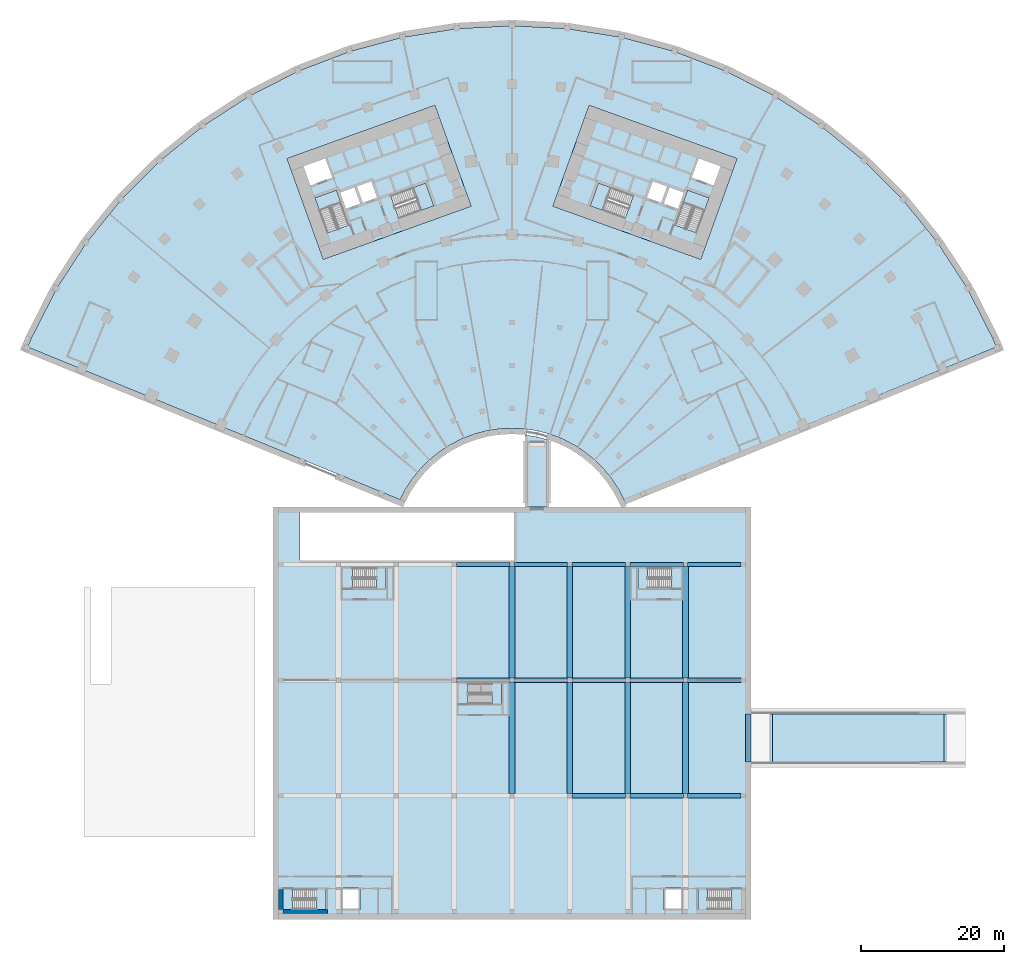
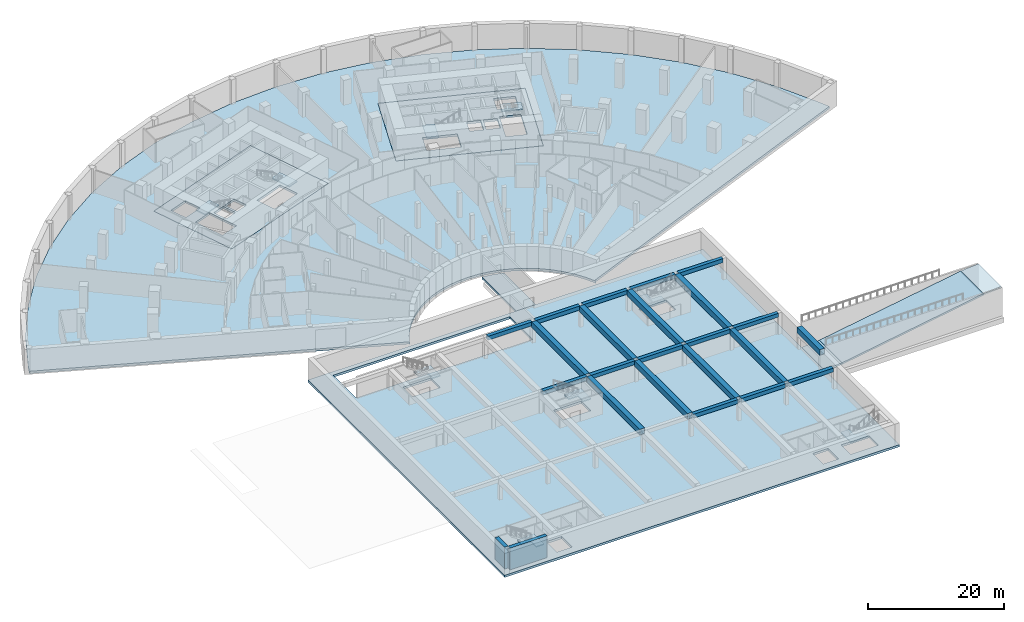
# One storey, part 2 of 23: 22 beams, 17 slabs, 2 walls, 9 elements without a shape of their own.
"""IFC4 building model written with IfcOpenShell, lengths in metres."""

from ifc_helpers import new_model, si_unit, direction, frame, frame_2d, origin, origin_2d, place, context, subcontext, project, spatial, polyline, rectangle, outline, extrude, material, layer, layer_set, material_profile, profile_set, type_object, element, aggregate, save


model = new_model("IFC4")

# Units and contexts
model_context = context("Model", 3, precision=1e-05, world=origin(), true_north=direction((0.0, 1.0)))
body_context = subcontext(model_context, "Body", "Model", "MODEL_VIEW")
ifc_project = project(units=[si_unit("LENGTHUNIT", "METRE"), si_unit("AREAUNIT", "SQUARE_METRE"), si_unit("VOLUMEUNIT", "CUBIC_METRE"), si_unit("PLANEANGLEUNIT", "RADIAN"), si_unit("MASSUNIT", "GRAM", prefix="KILO")], contexts=[model_context])

# Site, building, storey
site_placement = place(None, origin())
site = spatial("IfcSite", under=ifc_project, at=site_placement, CompositionType="ELEMENT")
building_placement = place(site_placement, origin())
building = spatial("IfcBuilding", under=site, at=building_placement, Name="Stone Belt Terrace Tower", CompositionType="ELEMENT")
storey_placement = place(building_placement, frame((0.0, 0.0, -4.5)))
storey = spatial("IfcBuildingStorey", under=building, at=storey_placement, Name="B1", CompositionType="ELEMENT", Elevation=-4.5)

# Beams
ifc_material_1 = material(Name="Concrete B40", Category="concrete")
ifc_material_profile_1 = material_profile(ifc_material_1, rectangle(XDim=0.800048828125, YDim=1.0, at=origin_2d()), Name="Car park girder 800 x 1000")
ifc_profile_set_1 = profile_set([ifc_material_profile_1], Name="Concrete B40")
beam_type_1 = type_object("IfcBeamType", Name="Car park girder 800 x 1000", PredefinedType="BEAM", material=ifc_profile_set_1)
for number, where, z_axis, x_axis, name in (
    (1, (0.0, -33.89990234375, 3.39990234375), (0.0, 1.0, 0.0), (-1.0, 0.0, 0.0), "Car park girder 5C-E"),
    (2, (0.0, -17.699951171875, 3.39990234375), (0.0, 1.0, 0.0), (-1.0, 0.0, 0.0), "Car park girder 5E-G"),
    (3, (8.10009765625, -33.89990234375, 3.39990234375), (0.0, 1.0, 0.0), (-1.0, 0.0, 0.0), "Car park girder 6C-E"),
    (4, (8.10009765625, -17.699951171875, 3.39990234375), (0.0, 1.0, 0.0), (-1.0, 0.0, 0.0), "Car park girder 6E-G"),
    (5, (16.199951171875, -33.89990234375, 3.39990234375), (0.0, 1.0, 0.0), (-1.0, 0.0, 0.0), "Car park girder 7C-E"),
    (6, (16.199951171875, -17.699951171875, 3.39990234375), (0.0, 1.0, 0.0), (-1.0, 0.0, 0.0), "Car park girder 7E-G"),
    (7, (24.300048828125, -33.89990234375, 3.39990234375), (0.0, 1.0, 0.0), (-1.0, 0.0, 0.0), "Car park girder 8C-E"),
    (8, (24.300048828125, -17.699951171875, 3.39990234375), (0.0, 1.0, 0.0), (-1.0, 0.0, 0.0), "Car park girder 8E-G"),
):
    element("IfcBeam", number, at=place(storey_placement, frame(where, z_axis=z_axis, x_axis=x_axis)), inside=storey, type_object=beam_type_1, Name=name, PredefinedType="BEAM", context=body_context, shape_type="SweptSolid", body=[
        extrude(rectangle(XDim=0.800048828125, YDim=1.0, at=origin_2d()), origin(), (0.0, 0.0, 1.0), 15.599853515625),
    ])
ifc_material_profile_2 = material_profile(ifc_material_1, rectangle(XDim=0.800048828125, YDim=1.0, at=origin_2d()), Name="Car park portal beam 800 x 1000")
ifc_profile_set_2 = profile_set([ifc_material_profile_2], Name="Concrete B40")
beam_type_2 = type_object("IfcBeamType", Name="Car park portal beam 800 x 1000", PredefinedType="BEAM", material=ifc_profile_set_2)
beam_placement = place(storey_placement, frame((33.10009765625, -29.449951171875, 3.39990234375), z_axis=(0.0, 1.0, 0.0), x_axis=(-1.0, 0.0, 0.0)))
element("IfcBeam", 9, at=beam_placement, inside=storey, type_object=beam_type_2, Name="Car park entrance portal beam", PredefinedType="BEAM", context=body_context, shape_type="SweptSolid", body=[
    extrude(rectangle(XDim=0.800048828125, YDim=1.0, at=origin_2d()), origin(), (0.0, 0.0, 1.0), 6.699951171875),
])
ifc_material_profile_3 = material_profile(ifc_material_1, rectangle(XDim=0.60009765625, YDim=0.699951171875, at=origin_2d()), Name="Car park tie beam 600 x 700")
ifc_profile_set_3 = profile_set([ifc_material_profile_3], Name="Concrete B40")
beam_type_3 = type_object("IfcBeamType", Name="Car park tie beam 600 x 700", PredefinedType="BEAM", material=ifc_profile_set_3)
for number, where, z_axis, x_axis, name in (
    (10, (8.39990234375, -34.199951171875, 3.550048828125), (1.0, 0.0, 0.0), (0.0, 1.0, 0.0), "Car park tie beam 6C-7"),
    (11, (16.5, -34.199951171875, 3.550048828125), (1.0, 0.0, 0.0), (0.0, 1.0, 0.0), "Car park tie beam 7C-8"),
    (12, (24.60009765625, -34.199951171875, 3.550048828125), (1.0, 0.0, 0.0), (0.0, 1.0, 0.0), "Car park tie beam 8C-9"),
    (13, (-7.800048828125, -18.0, 3.550048828125), (1.0, 0.0, 0.0), (0.0, 1.0, 0.0), "Car park tie beam 4E-5"),
    (14, (0.300048828125, -18.0, 3.550048828125), (1.0, 0.0, 0.0), (0.0, 1.0, 0.0), "Car park tie beam 5E-6"),
    (15, (8.39990234375, -18.0, 3.550048828125), (1.0, 0.0, 0.0), (0.0, 1.0, 0.0), "Car park tie beam 6E-7"),
    (16, (16.5, -18.0, 3.550048828125), (1.0, 0.0, 0.0), (0.0, 1.0, 0.0), "Car park tie beam 7E-8"),
    (17, (24.60009765625, -18.0, 3.550048828125), (1.0, 0.0, 0.0), (0.0, 1.0, 0.0), "Car park tie beam 8E-9"),
    (18, (-7.800048828125, -1.800048828125, 3.550048828125), (1.0, 0.0, 0.0), (0.0, 1.0, 0.0), "Car park tie beam 4G-5"),
    (19, (0.300048828125, -1.800048828125, 3.550048828125), (1.0, 0.0, 0.0), (0.0, 1.0, 0.0), "Car park tie beam 5G-6"),
    (20, (8.39990234375, -1.800048828125, 3.550048828125), (1.0, 0.0, 0.0), (0.0, 1.0, 0.0), "Car park tie beam 6G-7"),
    (21, (16.5, -1.800048828125, 3.550048828125), (1.0, 0.0, 0.0), (0.0, 1.0, 0.0), "Car park tie beam 7G-8"),
    (22, (24.60009765625, -1.800048828125, 3.550048828125), (1.0, 0.0, 0.0), (0.0, 1.0, 0.0), "Car park tie beam 8G-9"),
):
    element("IfcBeam", number, at=place(storey_placement, frame(where, z_axis=z_axis, x_axis=x_axis)), inside=storey, type_object=beam_type_3, Name=name, PredefinedType="BEAM", context=body_context, shape_type="SweptSolid", body=[
        extrude(rectangle(XDim=0.60009765625, YDim=0.699951171875, at=origin_2d()), origin(), (0.0, 0.0, 1.0), 7.5),
    ])

# Slabs
ifc_layer_1 = layer(ifc_material_1, 0.39990234375)
ifc_layer_set_1 = layer_set([ifc_layer_1], Name="Car park floor slab 400")
slab_type_1 = type_object("IfcSlabType", Name="Car park floor slab 400", PredefinedType="FLOOR", material=ifc_layer_set_1)
slab_1_placement = place(storey_placement, frame((0.0, 0.0, -0.39990234375)))
element("IfcSlab", 23, at=slab_1_placement, inside=storey, type_object=slab_type_1, Name="Car park floor B1", PredefinedType="FLOOR", context=body_context, shape_type="SweptSolid", body=[
    extrude(outline(polyline([(-33.5, -51.5), (33.5, -51.5), (33.5, 6.300048828125), (-33.5, 6.300048828125), (-33.5, -51.5)]), holes=[polyline([(0.300048828125, -1.199951171875), (0.300048828125, 5.5), (-29.699951171875, 5.5), (-29.699951171875, -1.199951171875), (0.300048828125, -1.199951171875)]), polyline([(-30.7470703125, -47.302978515625), (-30.7470703125, -50.096923828125), (-26.04296875, -50.096923828125), (-26.04296875, -47.302978515625), (-30.7470703125, -47.302978515625)]), polyline([(26.04296875, -50.096923828125), (30.7470703125, -50.096923828125), (30.7470703125, -47.302978515625), (26.04296875, -47.302978515625), (26.04296875, -50.096923828125)]), polyline([(-17.64306640625, -5.096923828125), (-17.64306640625, -2.302978515625), (-22.346923828125, -2.302978515625), (-22.346923828125, -5.096923828125), (-17.64306640625, -5.096923828125)]), polyline([(22.346923828125, -2.302978515625), (17.64306640625, -2.302978515625), (17.64306640625, -5.096923828125), (22.346923828125, -5.096923828125), (22.346923828125, -2.302978515625)]), polyline([(-6.14697265625, -18.5029296875), (-6.14697265625, -21.297119140625), (-1.443115234375, -21.297119140625), (-1.443115234375, -18.5029296875), (-6.14697265625, -18.5029296875)]), polyline([(-23.89990234375, -47.10009765625), (-23.89990234375, -50.199951171875), (-21.300048828125, -50.199951171875), (-21.300048828125, -47.10009765625), (-23.89990234375, -47.10009765625)]), polyline([(23.89990234375, -47.10009765625), (21.300048828125, -47.10009765625), (21.300048828125, -50.199951171875), (23.89990234375, -50.199951171875), (23.89990234375, -47.10009765625)])]), origin(), (0.0, 0.0, 1.0), 0.39990234375),
])
slab_2_placement = place(storey_placement, frame((0.0, 0.0, -0.39990234375)))
element("IfcSlab", 24, at=slab_2_placement, inside=storey, type_object=slab_type_1, Name="Link corridor floor B1", PredefinedType="FLOOR", context=body_context, shape_type="SweptSolid", body=[
    extrude(outline(polyline([(1.85009765625, 6.300048828125), (5.14990234375, 6.300048828125), (5.14990234375, 15.633544921875), (4.737548828125, 15.763427734375), (4.324951171875, 15.881591796875), (3.91259765625, 15.98828125), (3.5, 16.08349609375), (3.08740234375, 16.167724609375), (2.675048828125, 16.2412109375), (2.262451171875, 16.3037109375), (1.85009765625, 16.355712890625), (1.85009765625, 6.300048828125)])), origin(), (0.0, 0.0, 1.0), 0.39990234375),
])
ifc_layer_2 = layer(ifc_material_1, 0.300048828125)
ifc_layer_set_2 = layer_set([ifc_layer_2], Name="Car park ramp slab 300 B40")
slab_type_2 = type_object("IfcSlabType", Name="Car park ramp slab 300 B40", PredefinedType="FLOOR", material=ifc_layer_set_2)
slab_3_placement = place(storey_placement, frame((63.5, -29.449951171875, 4.5), z_axis=(0.0, -1.0, 0.0), x_axis=(-0.996545758245, 0.0, -0.083045479854)))
element("IfcSlab", 25, at=slab_3_placement, inside=storey, type_object=slab_type_2, Name="Car park entrance ramp R0 flight 1", PredefinedType="FLOOR", context=body_context, shape_type="SweptSolid", body=[
    extrude(outline(polyline([(0.0, 0.0), (3.010398644698074, -2.7755575615628914e-17), (3.035316343609267, 0.2990123869343157), (0.02491769891119298, 0.2990123869343157), (0.0, 0.0)])), origin(), (0.0, 0.0, -1.0), 6.699951171875),
])
slab_4_placement = place(storey_placement, frame((60.5, -29.449951171875, 4.25), z_axis=(0.0, -1.0, 0.0), x_axis=(-0.986393923832, 0.0, -0.164398987305)))
element("IfcSlab", 26, at=slab_4_placement, inside=storey, type_object=slab_type_2, Name="Car park entrance ramp R0 flight 2", PredefinedType="FLOOR", context=body_context, shape_type="SweptSolid", body=[
    extrude(outline(polyline([(0.0, 0.0), (24.33105012119288, 0.0), (24.380377844678787, 0.29596634091545493), (0.049327723485909206, 0.29596634091545526), (0.0, 0.0)])), origin(), (0.0, 0.0, -1.0), 6.699951171875),
])
slab_5_placement = place(storey_placement, frame((36.5, -29.449951171875, 0.25), z_axis=(0.0, -1.0, 0.0), x_axis=(-0.996545758245, 0.0, -0.083045479854)))
element("IfcSlab", 27, at=slab_5_placement, inside=storey, type_object=slab_type_2, Name="Car park entrance ramp R0 flight 3", PredefinedType="FLOOR", context=body_context, shape_type="SweptSolid", body=[
    extrude(outline(polyline([(0.0, 0.0), (3.010398644698074, -2.7755575615628914e-17), (3.035316343609267, 0.2990123869343157), (0.02491769891119298, 0.2990123869343157), (0.0, 0.0)])), origin(), (0.0, 0.0, -1.0), 6.699951171875),
])

# Stair, slab
ifc_material_2 = material(Name="Concrete B30", Category="concrete")
stair_type_1 = type_object("IfcStairType", Name="Car park stair 1200", PredefinedType="HALF_TURN_STAIR", material=ifc_material_2)
stair_1_placement = place(storey_placement, origin())
stair_1 = element("IfcStair", 28, at=stair_1_placement, inside=storey, type_object=stair_type_1, Name="B1 Car park stair 1", PredefinedType="HALF_TURN_STAIR")
ifc_layer_3 = layer(ifc_material_2, 0.199951171875)
ifc_layer_set_3 = layer_set([ifc_layer_3], Name="Car park stair landing 200")
slab_type_3 = type_object("IfcSlabType", Name="Car park stair landing 200", PredefinedType="LANDING", material=ifc_layer_set_3)
slab_6_placement = place(storey_placement, frame((0.0, 0.0, 2.050048828125)))
slab_6 = element("IfcSlab", 29, at=slab_6_placement, type_object=slab_type_3, Name="CS1 landing 1", PredefinedType="LANDING", context=body_context, shape_type="SweptSolid", body=[
    extrude(outline(polyline([(-27.409912109375, -50.199951171875), (-26.0400390625, -50.199951171875), (-26.0400390625, -47.199951171875), (-27.409912109375, -47.199951171875), (-27.409912109375, -47.300048828125), (-28.989990234375, -47.300048828125), (-28.989990234375, -48.64990234375), (-27.409912109375, -48.64990234375), (-27.409912109375, -50.199951171875)])), origin(), (0.0, 0.0, 1.0), 0.199951171875),
])
aggregate(stair_1, [slab_6])

stair_2_placement = place(storey_placement, origin())
stair_2 = element("IfcStair", 30, at=stair_2_placement, inside=storey, type_object=stair_type_1, Name="B1 Car park stair 2", PredefinedType="HALF_TURN_STAIR")
slab_7_placement = place(storey_placement, frame((0.0, 0.0, 2.050048828125)))
slab_7 = element("IfcSlab", 31, at=slab_7_placement, type_object=slab_type_3, Name="CS2 landing 1", PredefinedType="LANDING", context=body_context, shape_type="SweptSolid", body=[
    extrude(outline(polyline([(26.0400390625, -50.199951171875), (27.409912109375, -50.199951171875), (27.409912109375, -50.10009765625), (28.989990234375, -50.10009765625), (28.989990234375, -48.75), (27.409912109375, -48.75), (27.409912109375, -47.199951171875), (26.0400390625, -47.199951171875), (26.0400390625, -50.199951171875)])), origin(), (0.0, 0.0, 1.0), 0.199951171875),
])
aggregate(stair_2, [slab_7])

stair_3_placement = place(storey_placement, origin())
stair_3 = element("IfcStair", 32, at=stair_3_placement, inside=storey, type_object=stair_type_1, Name="B1 Car park stair 3", PredefinedType="HALF_TURN_STAIR")
slab_8_placement = place(storey_placement, frame((0.0, 0.0, 2.050048828125)))
slab_8 = element("IfcSlab", 33, at=slab_8_placement, type_object=slab_type_3, Name="CS3 landing 1", PredefinedType="LANDING", context=body_context, shape_type="SweptSolid", body=[
    extrude(outline(polyline([(-19.010009765625, -5.199951171875), (-17.639892578125, -5.199951171875), (-17.639892578125, -2.199951171875), (-19.010009765625, -2.199951171875), (-19.010009765625, -2.300048828125), (-20.590087890625, -2.300048828125), (-20.590087890625, -3.64990234375), (-19.010009765625, -3.64990234375), (-19.010009765625, -5.199951171875)])), origin(), (0.0, 0.0, 1.0), 0.199951171875),
])
aggregate(stair_3, [slab_8])

stair_4_placement = place(storey_placement, origin())
stair_4 = element("IfcStair", 34, at=stair_4_placement, inside=storey, type_object=stair_type_1, Name="B1 Car park stair 4", PredefinedType="HALF_TURN_STAIR")
slab_9_placement = place(storey_placement, frame((0.0, 0.0, 2.050048828125)))
slab_9 = element("IfcSlab", 35, at=slab_9_placement, type_object=slab_type_3, Name="CS4 landing 1", PredefinedType="LANDING", context=body_context, shape_type="SweptSolid", body=[
    extrude(outline(polyline([(17.639892578125, -5.199951171875), (19.010009765625, -5.199951171875), (19.010009765625, -5.10009765625), (20.590087890625, -5.10009765625), (20.590087890625, -3.75), (19.010009765625, -3.75), (19.010009765625, -2.199951171875), (17.639892578125, -2.199951171875), (17.639892578125, -5.199951171875)])), origin(), (0.0, 0.0, 1.0), 0.199951171875),
])
aggregate(stair_4, [slab_9])

stair_5_placement = place(storey_placement, origin())
stair_5 = element("IfcStair", 36, at=stair_5_placement, inside=storey, type_object=stair_type_1, Name="B1 Car park stair 5", PredefinedType="HALF_TURN_STAIR")
slab_10_placement = place(storey_placement, frame((0.0, 0.0, 2.050048828125)))
slab_10 = element("IfcSlab", 37, at=slab_10_placement, type_object=slab_type_3, Name="CS5 landing 1", PredefinedType="LANDING", context=body_context, shape_type="SweptSolid", body=[
    extrude(outline(polyline([(-2.81005859375, -21.39990234375), (-1.43994140625, -21.39990234375), (-1.43994140625, -18.39990234375), (-2.81005859375, -18.39990234375), (-2.81005859375, -18.5), (-4.389892578125, -18.5), (-4.389892578125, -19.85009765625), (-2.81005859375, -19.85009765625), (-2.81005859375, -21.39990234375)])), origin(), (0.0, 0.0, 1.0), 0.199951171875),
])
aggregate(stair_5, [slab_10])

# Slabs
ifc_layer_4 = layer(ifc_material_1, 0.39990234375)
ifc_layer_set_4 = layer_set([ifc_layer_4], Name="Core floor slab 400")
slab_type_4 = type_object("IfcSlabType", Name="Core floor slab 400", PredefinedType="FLOOR", material=ifc_layer_set_4)
slab_11_placement = place(storey_placement, frame((0.0, 0.0, -0.39990234375)))
element("IfcSlab", 38, at=slab_11_placement, inside=storey, type_object=slab_type_4, Name="Core A floor B1", PredefinedType="FLOOR", context=body_context, shape_type="SweptSolid", body=[
    extrude(outline(polyline([(-26.43505859375, 40.968994140625), (-5.735107421875, 48.4189453125), (-10.81396484375, 62.531982421875), (-31.513916015625, 55.0830078125), (-26.43505859375, 40.968994140625)]), holes=[polyline([(-27.618896484375, 49.575927734375), (-24.60791015625, 50.659912109375), (-22.847900390625, 45.76806640625), (-25.85888671875, 44.68408203125), (-27.618896484375, 49.575927734375)]), polyline([(-12.10595703125, 51.652099609375), (-10.955078125, 48.452880859375), (-15.846923828125, 46.69189453125), (-16.998046875, 49.89208984375), (-12.10595703125, 51.652099609375)]), polyline([(-24.06298828125, 50.324951171875), (-22.0869140625, 51.035888671875), (-21.27392578125, 48.778076171875), (-23.25, 48.06689453125), (-24.06298828125, 50.324951171875)]), polyline([(-19.735107421875, 51.883056640625), (-18.922119140625, 49.6240234375), (-20.89794921875, 48.9130859375), (-21.7109375, 51.1708984375), (-19.735107421875, 51.883056640625)]), polyline([(-28.24609375, 51.31689453125), (-29.2109375, 53.9990234375), (-26.153076171875, 55.09912109375), (-25.18798828125, 52.41796875), (-28.24609375, 51.31689453125)])]), origin(), (0.0, 0.0, 1.0), 0.39990234375),
])
slab_12_placement = place(storey_placement, frame((0.0, 0.0, -0.39990234375)))
element("IfcSlab", 39, at=slab_12_placement, inside=storey, type_object=slab_type_4, Name="Core B floor B1", PredefinedType="FLOOR", context=body_context, shape_type="SweptSolid", body=[
    extrude(outline(polyline([(26.43505859375, 40.968994140625), (31.513916015625, 55.0830078125), (10.81396484375, 62.531982421875), (5.735107421875, 48.4189453125), (26.43505859375, 40.968994140625)]), holes=[polyline([(24.60791015625, 50.659912109375), (27.618896484375, 49.575927734375), (25.85888671875, 44.68408203125), (22.847900390625, 45.76806640625), (24.60791015625, 50.659912109375)]), polyline([(10.955078125, 48.452880859375), (12.10595703125, 51.652099609375), (16.998046875, 49.89208984375), (15.846923828125, 46.69189453125), (10.955078125, 48.452880859375)]), polyline([(24.06298828125, 50.324951171875), (23.25, 48.06689453125), (21.27392578125, 48.778076171875), (22.0869140625, 51.035888671875), (24.06298828125, 50.324951171875)]), polyline([(20.89794921875, 48.9130859375), (18.922119140625, 49.6240234375), (19.735107421875, 51.883056640625), (21.7109375, 51.1708984375), (20.89794921875, 48.9130859375)]), polyline([(26.153076171875, 55.09912109375), (29.2109375, 53.9990234375), (28.24609375, 51.31689453125), (25.18798828125, 52.41796875), (26.153076171875, 55.09912109375)])]), origin(), (0.0, 0.0, 1.0), 0.39990234375),
])
ifc_layer_5 = layer(ifc_material_2, 0.39990234375)
ifc_layer_set_5 = layer_set([ifc_layer_5], Name="Floor slab 400 B30")
slab_type_5 = type_object("IfcSlabType", Name="Floor slab 400 B30", PredefinedType="FLOOR", material=ifc_layer_set_5)
slab_13_placement = place(storey_placement, frame((0.0, 0.0, -0.39990234375)))
element("IfcSlab", 40, at=slab_13_placement, inside=storey, type_object=slab_type_5, Name="Floor slab B1", PredefinedType="FLOOR", context=body_context, shape_type="SweptSolid", body=[
    extrude(outline(polyline([(-67.333984375, 29.962646484375), (-63.8251953125, 36.849609375), (-59.623779296875, 43.319091796875), (-54.76904296875, 49.314208984375), (-49.314208984375, 54.76904296875), (-43.319091796875, 59.623779296875), (-36.849609375, 63.8251953125), (-29.97607421875, 67.327392578125), (-22.774169921875, 70.091796875), (-15.322998046875, 72.08837890625), (-7.70361328125, 73.295166015625), (0.0, 73.698974609375), (7.70361328125, 73.295166015625), (15.322998046875, 72.08837890625), (22.774169921875, 70.091796875), (29.97607421875, 67.327392578125), (36.849609375, 63.8251953125), (43.319091796875, 59.623779296875), (49.314208984375, 54.76904296875), (54.76904296875, 49.314208984375), (59.623779296875, 43.319091796875), (63.8251953125, 36.849609375), (67.333984375, 29.962646484375), (67.8798828125, 28.685791015625), (15.693359375, 7.296630859375), (15.798583984375, 7.05029296875), (14.983154296875, 8.650390625), (13.996826171875, 10.169189453125), (12.857177734375, 11.57666015625), (11.57666015625, 12.857177734375), (10.169189453125, 13.996826171875), (8.650390625, 14.983154296875), (7.037109375, 15.805419921875), (5.34619140625, 16.454345703125), (3.59716796875, 16.923095703125), (1.80859375, 17.206298828125), (0.0, 17.301025390625), (-1.80859375, 17.206298828125), (-3.59716796875, 16.923095703125), (-5.34619140625, 16.454345703125), (-7.037109375, 15.805419921875), (-8.650390625, 14.983154296875), (-10.169189453125, 13.996826171875), (-11.57666015625, 12.857177734375), (-12.857177734375, 11.57666015625), (-13.996826171875, 10.169189453125), (-14.983154296875, 8.650390625), (-15.798583984375, 7.05029296875), (-15.693359375, 7.296630859375), (-67.8798828125, 28.685791015625), (-67.333984375, 29.962646484375)]), holes=[polyline([(-10.81396484375, 62.532470703125), (-31.51416015625, 55.082763671875), (-26.434814453125, 40.968994140625), (-5.734619140625, 48.418701171875), (-10.81396484375, 62.532470703125)]), polyline([(26.434814453125, 40.968994140625), (31.51416015625, 55.082763671875), (10.81396484375, 62.532470703125), (5.734619140625, 48.418701171875), (26.434814453125, 40.968994140625)])]), origin(), (0.0, 0.0, 1.0), 0.39990234375),
])

# Stair, slab
stair_type_2 = type_object("IfcStairType", Name="Exit stair 1500", PredefinedType="HALF_TURN_STAIR", material=ifc_material_1)
stair_6_placement = place(storey_placement, origin())
stair_6 = element("IfcStair", 41, at=stair_6_placement, inside=storey, type_object=stair_type_2, Name="B1 Exit stair 1 core A", PredefinedType="HALF_TURN_STAIR")
ifc_layer_6 = layer(ifc_material_1, 0.199951171875)
ifc_layer_set_6 = layer_set([ifc_layer_6], Name="Stair landing 200")
slab_type_6 = type_object("IfcSlabType", Name="Stair landing 200", PredefinedType="LANDING", material=ifc_layer_set_6)
slab_14_placement = place(storey_placement, frame((0.0, 0.0, 2.050048828125)))
slab_14 = element("IfcSlab", 42, at=slab_14_placement, type_object=slab_type_6, Name="ST1A landing 1", PredefinedType="LANDING", context=body_context, shape_type="SweptSolid", body=[
    extrude(outline(polyline([(-23.985107421875, 48.927734375), (-24.6083984375, 50.659912109375), (-27.619384765625, 49.576171875), (-26.99609375, 47.84423828125), (-23.985107421875, 48.927734375)])), origin(), (0.0, 0.0, 1.0), 0.199951171875),
])
aggregate(stair_6, [slab_14])

stair_7_placement = place(storey_placement, origin())
stair_7 = element("IfcStair", 43, at=stair_7_placement, inside=storey, type_object=stair_type_2, Name="B1 Exit stair 2 core A", PredefinedType="HALF_TURN_STAIR")
slab_15_placement = place(storey_placement, frame((0.0, 0.0, 2.050048828125)))
slab_15 = element("IfcSlab", 44, at=slab_15_placement, type_object=slab_type_6, Name="ST2A landing 1", PredefinedType="LANDING", context=body_context, shape_type="SweptSolid", body=[
    extrude(outline(polyline([(-12.6865234375, 47.82958984375), (-10.95458984375, 48.453125), (-12.10595703125, 51.652099609375), (-13.837890625, 51.02880859375), (-12.6865234375, 47.82958984375)])), origin(), (0.0, 0.0, 1.0), 0.199951171875),
])
aggregate(stair_7, [slab_15])

stair_8_placement = place(storey_placement, origin())
stair_8 = element("IfcStair", 45, at=stair_8_placement, inside=storey, type_object=stair_type_2, Name="B1 Exit stair 1 core B", PredefinedType="HALF_TURN_STAIR")
slab_16_placement = place(storey_placement, frame((0.0, 0.0, 2.050048828125)))
slab_16 = element("IfcSlab", 46, at=slab_16_placement, type_object=slab_type_6, Name="ST1B landing 1", PredefinedType="LANDING", context=body_context, shape_type="SweptSolid", body=[
    extrude(outline(polyline([(26.99609375, 47.84423828125), (27.619384765625, 49.576171875), (24.6083984375, 50.659912109375), (23.985107421875, 48.927734375), (26.99609375, 47.84423828125)])), origin(), (0.0, 0.0, 1.0), 0.199951171875),
])
aggregate(stair_8, [slab_16])

stair_9_placement = place(storey_placement, origin())
stair_9 = element("IfcStair", 47, at=stair_9_placement, inside=storey, type_object=stair_type_2, Name="B1 Exit stair 2 core B", PredefinedType="HALF_TURN_STAIR")
slab_17_placement = place(storey_placement, frame((0.0, 0.0, 2.050048828125)))
slab_17 = element("IfcSlab", 48, at=slab_17_placement, type_object=slab_type_6, Name="ST2B landing 1", PredefinedType="LANDING", context=body_context, shape_type="SweptSolid", body=[
    extrude(outline(polyline([(13.837890625, 51.02880859375), (12.10595703125, 51.652099609375), (10.95458984375, 48.453125), (12.6865234375, 47.82958984375), (13.837890625, 51.02880859375)])), origin(), (0.0, 0.0, 1.0), 0.199951171875),
])
aggregate(stair_9, [slab_17])

# Walls
ifc_layer_7 = layer(ifc_material_2, 0.60009765625)
ifc_layer_set_7 = layer_set([ifc_layer_7], Name="Car park stair wall 600 variant A")
wall_type = type_object("IfcWallType", Name="Car park stair wall 600 variant A", PredefinedType="SOLIDWALL", material=ifc_layer_set_7)
wall_1_placement = place(storey_placement, frame((-32.10009765625, -50.39990234375, 0.0), z_axis=(0.0, 0.0, 1.0), x_axis=(1.0, 0.0, 0.0)))
element("IfcWall", 49, at=wall_1_placement, inside=storey, type_object=wall_type, Name="Car park stair 1 wall", PredefinedType="SOLIDWALL", context=body_context, shape_type="SweptSolid", body=[
    extrude(rectangle(XDim=6.260009765625, YDim=0.60009765625, at=frame_2d((3.1298828125, 0.0))), origin(), (0.0, 0.0, 1.0), 3.89990234375),
])
wall_2_placement = place(storey_placement, frame((-32.39990234375, -50.10009765625, 0.0), z_axis=(0.0, 0.0, 1.0), x_axis=(0.0, 1.0, 0.0)))
element("IfcWall", 50, at=wall_2_placement, inside=storey, type_object=wall_type, Name="Car park stair 1 wall", PredefinedType="SOLIDWALL", context=body_context, shape_type="SweptSolid", body=[
    extrude(rectangle(XDim=2.800048828125, YDim=0.60009765625, at=frame_2d((1.39990234375, 0.0))), origin(), (0.0, 0.0, 1.0), 3.89990234375),
])

save(model, "model.ifc")
